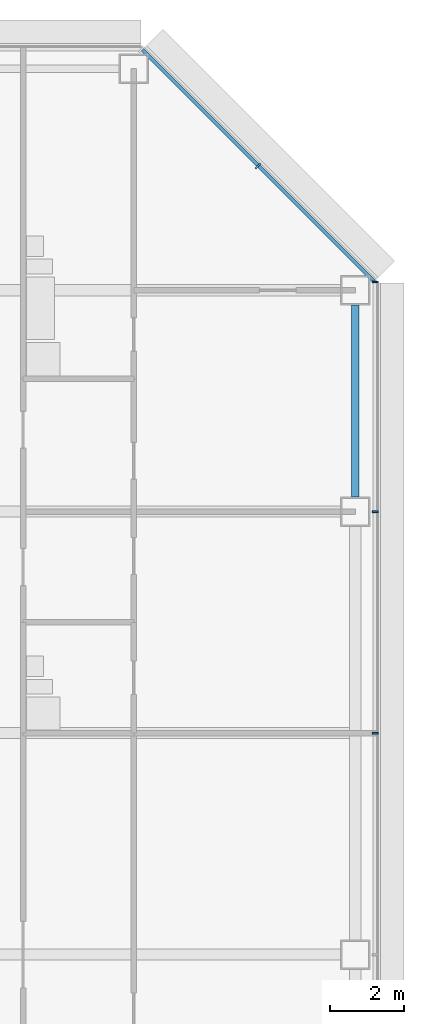
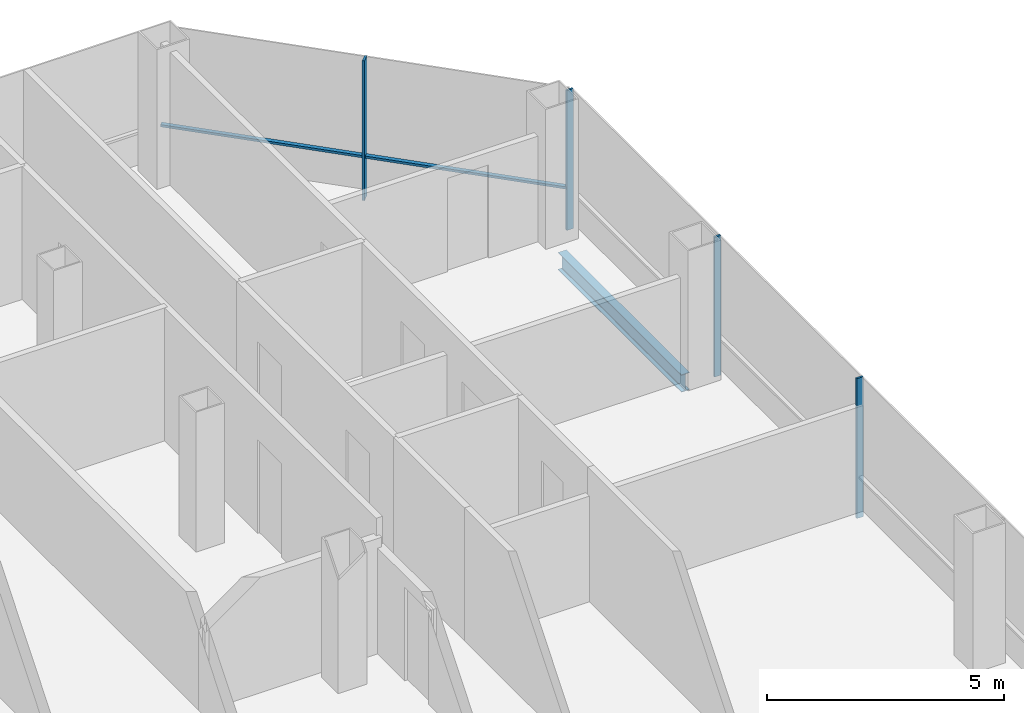
# One storey, part 17 of 25: 5 members, 1 beam, 2 elements without a shape of their own.
"""IFC4 building model written with IfcOpenShell, lengths in metres."""

from ifc_helpers import new_model, si_unit, direction, frame, origin, origin_2d, place, context, subcontext, project, spatial, rectangle, i_section, extrude, material, material_profile, profile_set, type_object, element, aggregate, save


model = new_model("IFC4")

# Units and contexts
model_context = context("Model", 3, precision=1e-05, world=origin(), true_north=direction((0.0, 1.0)))
body_context = subcontext(model_context, "Body", "Model", "MODEL_VIEW")
ifc_project = project(units=[si_unit("LENGTHUNIT", "METRE"), si_unit("AREAUNIT", "SQUARE_METRE"), si_unit("VOLUMEUNIT", "CUBIC_METRE"), si_unit("PLANEANGLEUNIT", "RADIAN"), si_unit("MASSUNIT", "GRAM", prefix="KILO")], contexts=[model_context])

# Site, building, storey
site_placement = place(None, origin())
site = spatial("IfcSite", under=ifc_project, at=site_placement, CompositionType="ELEMENT")
building_placement = place(site_placement, origin())
building = spatial("IfcBuilding", under=site, at=building_placement, Name="Sorahane Residences", CompositionType="ELEMENT")
storey_placement = place(building_placement, frame((0.0, 0.0, 143.800048828125)))
storey = spatial("IfcBuildingStorey", under=building, at=storey_placement, Name="L32", CompositionType="ELEMENT", Elevation=143.800048828125)

# Curtain wall, members
ifc_material_1 = material(Name="Dark low-e glass and black anodised aluminium", Category="aluminium")
curtain_wall_type_1 = type_object("IfcCurtainWallType", Name="Curtain wall CW-1 Typical unitised wall", PredefinedType="NOTDEFINED", material=ifc_material_1)
curtain_wall_1_placement = place(storey_placement, origin())
curtain_wall_1 = element("IfcCurtainWall", 1, at=curtain_wall_1_placement, inside=storey, type_object=curtain_wall_type_1, Name="CW-1 curtain wall L32 E1", PredefinedType="NOTDEFINED")
ifc_material_2 = material(Name="Black anodised aluminium", Category="aluminium")
ifc_material_profile_1 = material_profile(ifc_material_2, rectangle(XDim=0.159912109375, YDim=0.050048828125, at=origin_2d()), Name="Curtain wall mullion CW-1 black anodised aluminium 50x160")
ifc_profile_set_1 = profile_set([ifc_material_profile_1], Name="Black anodised aluminium")
member_type_1 = type_object("IfcMemberType", Name="Curtain wall mullion CW-1 black anodised aluminium 50x160", PredefinedType="MULLION", material=ifc_profile_set_1)
member_1_placement = place(storey_placement, frame((60.5400390625, 30.0, -0.179931640625), z_axis=(0.0, 0.0, 1.0), x_axis=(1.0, 0.0, 0.0)))
member_1 = element("IfcMember", 2, at=member_1_placement, type_object=member_type_1, Name="CW-1 mullion L32 E1.5", PredefinedType="MULLION", context=body_context, shape_type="SweptSolid", body=[
    extrude(rectangle(XDim=0.159912109375, YDim=0.050048828125, at=origin_2d()), origin(), (0.0, 0.0, 1.0), 3.599853515625),
])
member_2_placement = place(storey_placement, frame((60.5400390625, 36.0, -0.179931640625), z_axis=(0.0, 0.0, 1.0), x_axis=(1.0, 0.0, 0.0)))
member_2 = element("IfcMember", 3, at=member_2_placement, type_object=member_type_1, Name="CW-1 mullion L32 E1.6", PredefinedType="MULLION", context=body_context, shape_type="SweptSolid", body=[
    extrude(rectangle(XDim=0.159912109375, YDim=0.050048828125, at=origin_2d()), origin(), (0.0, 0.0, 1.0), 3.599853515625),
])
member_3_placement = place(storey_placement, frame((60.5400390625, 42.2236328125, -0.179931640625), z_axis=(0.0, 0.0, 1.0), x_axis=(1.0, 0.0, 0.0)))
member_3 = element("IfcMember", 4, at=member_3_placement, type_object=member_type_1, Name="CW-1 mullion L32 E1.7", PredefinedType="MULLION", context=body_context, shape_type="SweptSolid", body=[
    extrude(rectangle(XDim=0.159912109375, YDim=0.050048828125, at=origin_2d()), origin(), (0.0, 0.0, 1.0), 3.599853515625),
])
aggregate(curtain_wall_1, [member_1, member_2, member_3])

ifc_material_3 = material(Name="Dark low-e glass and black anodised aluminium", Category="aluminium")
curtain_wall_type_2 = type_object("IfcCurtainWallType", Name="Curtain wall CW-2 Chamfer unitised wall", PredefinedType="NOTDEFINED", material=ifc_material_3)
curtain_wall_2_placement = place(storey_placement, origin())
curtain_wall_2 = element("IfcCurtainWall", 5, at=curtain_wall_2_placement, inside=storey, type_object=curtain_wall_type_2, Name="CW-2 curtain wall L32 NE1", PredefinedType="NOTDEFINED")
ifc_material_4 = material(Name="Black anodised aluminium", Category="aluminium")
ifc_material_profile_2 = material_profile(ifc_material_4, rectangle(XDim=0.199951171875, YDim=0.050048828125, at=origin_2d()), Name="Curtain wall mullion CW-2 black anodised aluminium 50x200")
ifc_profile_set_2 = profile_set([ifc_material_profile_2], Name="Black anodised aluminium")
member_type_2 = type_object("IfcMemberType", Name="Curtain wall mullion CW-2 black anodised aluminium 50x200", PredefinedType="MULLION", material=ifc_profile_set_2)
member_4_placement = place(storey_placement, frame((57.36767578125, 45.36767578125, -0.179931640625), z_axis=(0.0, 0.0, 1.0), x_axis=(0.707106781187, 0.707106781187, 0.0)))
member_4 = element("IfcMember", 6, at=member_4_placement, type_object=member_type_2, Name="CW-2 mullion L32 NE1.2", PredefinedType="MULLION", context=body_context, shape_type="SweptSolid", body=[
    extrude(rectangle(XDim=0.199951171875, YDim=0.050048828125, at=origin_2d()), origin(), (0.0, 0.0, 1.0), 3.599853515625),
])
ifc_material_5 = material(Name="Black anodised aluminium", Category="aluminium")
ifc_material_profile_3 = material_profile(ifc_material_5, rectangle(XDim=0.10009765625, YDim=0.06005859375, at=origin_2d()), Name="Curtain wall transom CW-2 black anodised aluminium 60x100")
ifc_profile_set_3 = profile_set([ifc_material_profile_3], Name="Black anodised aluminium")
member_type_3 = type_object("IfcMemberType", Name="Curtain wall transom CW-2 black anodised aluminium 60x100", PredefinedType="USERDEFINED", material=ifc_profile_set_3)
member_5_placement = place(storey_placement, frame((60.51513671875, 42.234375, 0.89990234375), z_axis=(-0.707106781187, 0.707106781187, 0.0), x_axis=(-0.707106781187, -0.707106781187, 0.0)))
member_5 = element("IfcMember", 7, at=member_5_placement, type_object=member_type_3, Name="CW-2 transom L32 NE1", ObjectType="TRANSOM", PredefinedType="USERDEFINED", context=body_context, shape_type="SweptSolid", body=[
    extrude(rectangle(XDim=0.10009765625, YDim=0.06005859375, at=origin_2d()), origin(), (0.0, 0.0, 1.0), 8.88232421875),
])
aggregate(curtain_wall_2, [member_4, member_5])

# Beam
ifc_material_6 = material(Name="Steel Q355B", Category="steel")
ifc_material_profile_4 = material_profile(ifc_material_6, i_section(OverallWidth=0.199951171875, OverallDepth=0.449951171875, WebThickness=0.009033203125, FlangeThickness=0.013916015625, FilletRadius=0.02001953125, at=origin_2d()), Name="HN 450x200x9x14")
ifc_profile_set_4 = profile_set([ifc_material_profile_4], Name="Steel Q355B")
beam_type = type_object("IfcBeamType", Name="Steel floor beam HN 450x200x9x14 Q355B", PredefinedType="BEAM", material=ifc_profile_set_4)
beam_placement = place(storey_placement, frame((60.0, 36.39990234375, -0.405029296875), z_axis=(0.0, 1.0, 0.0), x_axis=(-1.0, 0.0, 0.0)))
element("IfcBeam", 8, at=beam_placement, inside=storey, type_object=beam_type, Name="Beam L32 067", PredefinedType="BEAM", context=body_context, shape_type="SweptSolid", body=[
    extrude(i_section(OverallWidth=0.199951171875, OverallDepth=0.449951171875, WebThickness=0.009033203125, FlangeThickness=0.013916015625, FilletRadius=0.02001953125, at=origin_2d()), origin(), (0.0, 0.0, 1.0), 5.2001953125),
])

save(model, "model.ifc")
